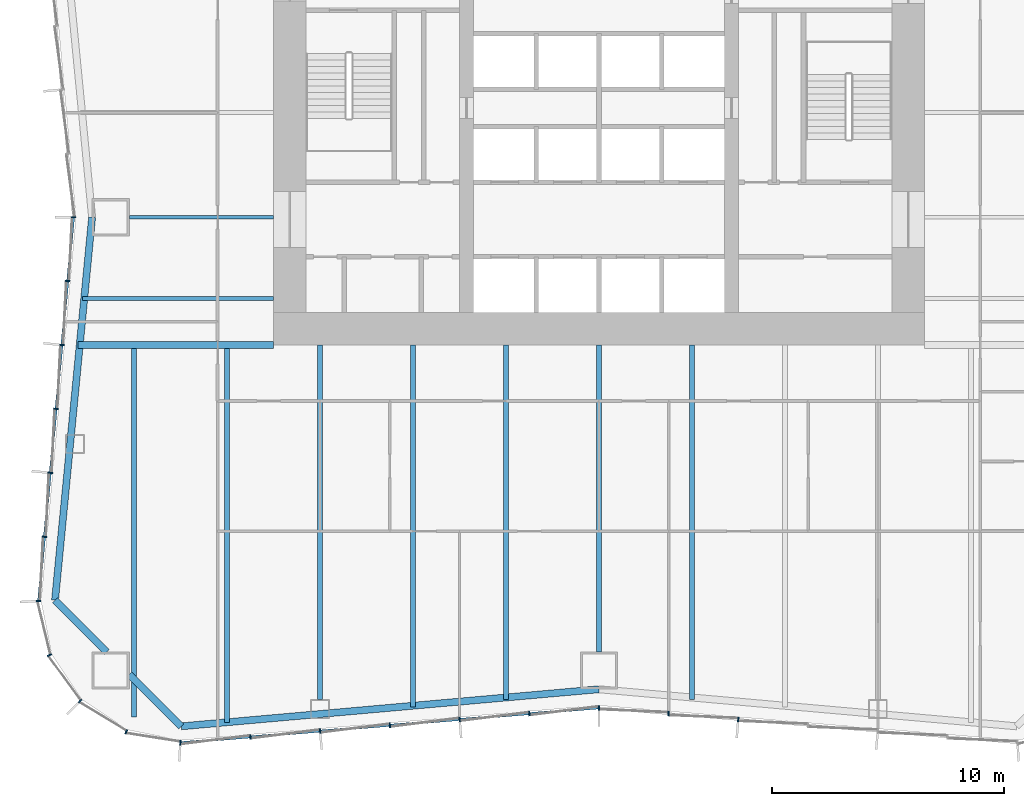
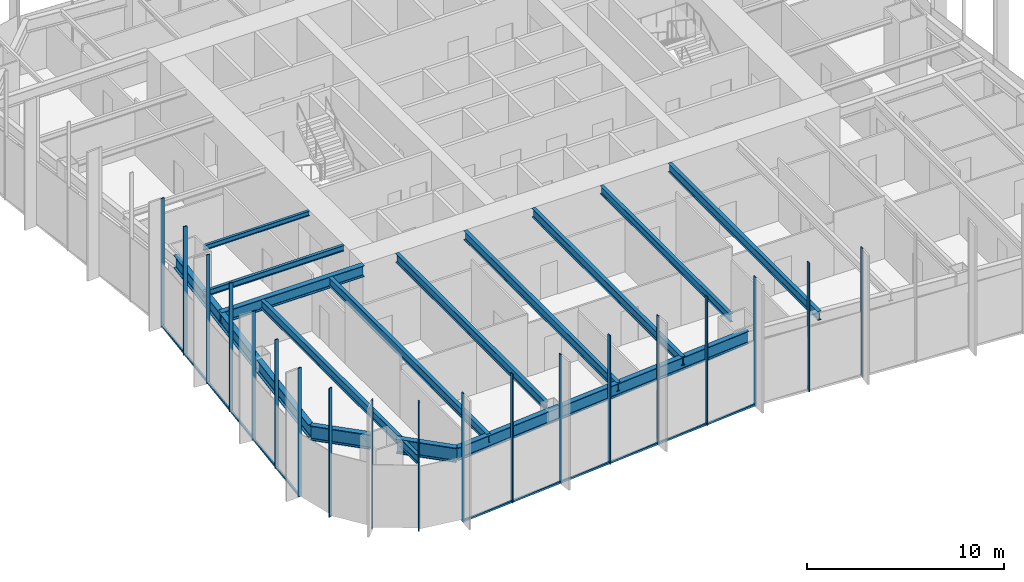
# One storey, part 2 of 13: 21 members, 14 beams, 3 elements without a shape of their own.
"""IFC4 building model written with IfcOpenShell, lengths in metres."""

from ifc_helpers import new_model, si_unit, direction, frame, origin, origin_2d, place, context, subcontext, project, spatial, rectangle, i_section, extrude, material, material_profile, profile_set, type_object, element, aggregate, save


model = new_model("IFC4")

# Units and contexts
model_context = context("Model", 3, precision=1e-05, world=origin(), true_north=direction((0.0, 1.0)))
body_context = subcontext(model_context, "Body", "Model", "MODEL_VIEW")
ifc_project = project(units=[si_unit("LENGTHUNIT", "METRE"), si_unit("AREAUNIT", "SQUARE_METRE"), si_unit("VOLUMEUNIT", "CUBIC_METRE"), si_unit("PLANEANGLEUNIT", "RADIAN"), si_unit("MASSUNIT", "GRAM", prefix="KILO")], contexts=[model_context])

# Site, building, storey
site_placement = place(None, origin())
site = spatial("IfcSite", under=ifc_project, at=site_placement, CompositionType="ELEMENT")
building_placement = place(site_placement, origin())
building = spatial("IfcBuilding", under=site, at=building_placement, Name="Verdant Reach Tower", CompositionType="ELEMENT")
storey_placement = place(building_placement, frame((0.0, 0.0, 50.0)))
storey = spatial("IfcBuildingStorey", under=building, at=storey_placement, Name="L11", CompositionType="ELEMENT", Elevation=50.0)

# Curtain wall, members
ifc_material_1 = material(Name="Anodised aluminium", Category="aluminium")
curtain_wall_type = type_object("IfcCurtainWallType", Name="EN-CW SYSTEM Z0", PredefinedType="NOTDEFINED", material=ifc_material_1)
curtain_wall_1_placement = place(storey_placement, origin())
curtain_wall_1 = element("IfcCurtainWall", 1, at=curtain_wall_1_placement, inside=storey, type_object=curtain_wall_type, Name="Curtain wall west, L11", PredefinedType="NOTDEFINED")
ifc_material_profile_1 = material_profile(ifc_material_1, rectangle(XDim=0.199951171875, YDim=0.06005859375, at=origin_2d()), Name="Mullion 60x200")
ifc_profile_set_1 = profile_set([ifc_material_profile_1], Name="Anodised aluminium")
member_type_1 = type_object("IfcMemberType", Name="EN-MULLION Z0", PredefinedType="MULLION", material=ifc_profile_set_1)
member_1_placement = place(storey_placement, frame((-22.60009765625, 22.5, -0.35009765625), z_axis=(0.0, 0.0, 1.0), x_axis=(-1.0, 0.0, 0.0)))
member_1 = element("IfcMember", 2, at=member_1_placement, type_object=member_type_1, Name="Mullion west face part 2 1, L11", PredefinedType="MULLION", context=body_context, shape_type="SweptSolid", body=[
    extrude(rectangle(XDim=0.199951171875, YDim=0.06005859375, at=origin_2d()), origin(), (0.0, 0.0, 1.0), 8.0),
])
member_2_placement = place(storey_placement, frame((-22.849609375, 19.759033203125, -0.35009765625), z_axis=(0.0, 0.0, 1.0), x_axis=(-0.995893206467, 0.090535746047, 0.0)))
member_2 = element("IfcMember", 3, at=member_2_placement, type_object=member_type_1, Name="Mullion west face part 2 2, L11", PredefinedType="MULLION", context=body_context, shape_type="SweptSolid", body=[
    extrude(rectangle(XDim=0.199951171875, YDim=0.06005859375, at=origin_2d()), origin(), (0.0, 0.0, 1.0), 8.0),
])
member_3_placement = place(storey_placement, frame((-23.099609375, 17.009033203125, -0.35009765625), z_axis=(0.0, 0.0, 1.0), x_axis=(-0.995893206467, 0.090535746047, 0.0)))
member_3 = element("IfcMember", 4, at=member_3_placement, type_object=member_type_1, Name="Mullion west face part 2 3, L11", PredefinedType="MULLION", context=body_context, shape_type="SweptSolid", body=[
    extrude(rectangle(XDim=0.199951171875, YDim=0.06005859375, at=origin_2d()), origin(), (0.0, 0.0, 1.0), 8.0),
])
member_4_placement = place(storey_placement, frame((-23.349609375, 14.259033203125, -0.35009765625), z_axis=(0.0, 0.0, 1.0), x_axis=(-0.995893206467, 0.090535746047, 0.0)))
member_4 = element("IfcMember", 5, at=member_4_placement, type_object=member_type_1, Name="Mullion west face part 2 4, L11", PredefinedType="MULLION", context=body_context, shape_type="SweptSolid", body=[
    extrude(rectangle(XDim=0.199951171875, YDim=0.06005859375, at=origin_2d()), origin(), (0.0, 0.0, 1.0), 8.0),
])
member_5_placement = place(storey_placement, frame((-23.599609375, 11.509033203125, -0.35009765625), z_axis=(0.0, 0.0, 1.0), x_axis=(-0.995893206467, 0.090535746047, 0.0)))
member_5 = element("IfcMember", 6, at=member_5_placement, type_object=member_type_1, Name="Mullion west face part 2 5, L11", PredefinedType="MULLION", context=body_context, shape_type="SweptSolid", body=[
    extrude(rectangle(XDim=0.199951171875, YDim=0.06005859375, at=origin_2d()), origin(), (0.0, 0.0, 1.0), 8.0),
])
member_6_placement = place(storey_placement, frame((-23.849609375, 8.759033203125, -0.35009765625), z_axis=(0.0, 0.0, 1.0), x_axis=(-0.995893206467, 0.090535746047, 0.0)))
member_6 = element("IfcMember", 7, at=member_6_placement, type_object=member_type_1, Name="Mullion west face part 2 6, L11", PredefinedType="MULLION", context=body_context, shape_type="SweptSolid", body=[
    extrude(rectangle(XDim=0.199951171875, YDim=0.06005859375, at=origin_2d()), origin(), (0.0, 0.0, 1.0), 8.0),
])

curtain_wall_2_placement = place(storey_placement, origin())
curtain_wall_2 = element("IfcCurtainWall", 8, at=curtain_wall_2_placement, inside=storey, type_object=curtain_wall_type, Name="Curtain wall south-west corner, L11", PredefinedType="NOTDEFINED")
member_7_placement = place(storey_placement, frame((-24.099853515625, 5.99462890625, -0.35009765625), z_axis=(0.0, 0.0, 1.0), x_axis=(-0.998604288049, -0.052815489107, 0.0)))
member_7 = element("IfcMember", 9, at=member_7_placement, type_object=member_type_1, Name="Mullion south-west corner 1, L11", PredefinedType="MULLION", context=body_context, shape_type="SweptSolid", body=[
    extrude(rectangle(XDim=0.199951171875, YDim=0.06005859375, at=origin_2d()), origin(), (0.0, 0.0, 1.0), 8.0),
])
member_8_placement = place(storey_placement, frame((-23.6357421875, 3.66552734375, -0.35009765625), z_axis=(0.0, 0.0, 1.0), x_axis=(-0.923875215753, -0.382693853776, 0.0)))
member_8 = element("IfcMember", 10, at=member_8_placement, type_object=member_type_1, Name="Mullion south-west corner 2, L11", PredefinedType="MULLION", context=body_context, shape_type="SweptSolid", body=[
    extrude(rectangle(XDim=0.199951171875, YDim=0.06005859375, at=origin_2d()), origin(), (0.0, 0.0, 1.0), 8.0),
])
member_9_placement = place(storey_placement, frame((-22.313232421875, 1.686767578125, -0.35009765625), z_axis=(0.0, 0.0, 1.0), x_axis=(-0.707106781187, -0.707106781187, 0.0)))
member_9 = element("IfcMember", 11, at=member_9_placement, type_object=member_type_1, Name="Mullion south-west corner 3, L11", PredefinedType="MULLION", context=body_context, shape_type="SweptSolid", body=[
    extrude(rectangle(XDim=0.199951171875, YDim=0.06005859375, at=origin_2d()), origin(), (0.0, 0.0, 1.0), 8.0),
])
member_10_placement = place(storey_placement, frame((-20.33447265625, 0.3642578125, -0.35009765625), z_axis=(0.0, 0.0, 1.0), x_axis=(-0.382693853776, -0.923875215753, 0.0)))
member_10 = element("IfcMember", 12, at=member_10_placement, type_object=member_type_1, Name="Mullion south-west corner 4, L11", PredefinedType="MULLION", context=body_context, shape_type="SweptSolid", body=[
    extrude(rectangle(XDim=0.199951171875, YDim=0.06005859375, at=origin_2d()), origin(), (0.0, 0.0, 1.0), 8.0),
])
aggregate(curtain_wall_2, [member_7, member_8, member_9, member_10])

curtain_wall_3_placement = place(storey_placement, origin())
curtain_wall_3 = element("IfcCurtainWall", 13, at=curtain_wall_3_placement, inside=storey, type_object=curtain_wall_type, Name="Curtain wall south, L11", PredefinedType="NOTDEFINED")
member_11_placement = place(storey_placement, frame((-18.005615234375, -0.099853515625, -0.35009765625), z_axis=(0.0, 0.0, 1.0), x_axis=(-0.056569187765, -0.998398681387, 0.0)))
member_11 = element("IfcMember", 14, at=member_11_placement, type_object=member_type_1, Name="Mullion south face part 1 1, L11", PredefinedType="MULLION", context=body_context, shape_type="SweptSolid", body=[
    extrude(rectangle(XDim=0.199951171875, YDim=0.06005859375, at=origin_2d()), origin(), (0.0, 0.0, 1.0), 8.0),
])
member_12_placement = place(storey_placement, frame((-14.99169921875, 0.150390625, -0.35009765625), z_axis=(0.0, 0.0, 1.0), x_axis=(0.083045479859, -0.996545758244, 0.0)))
member_12 = element("IfcMember", 15, at=member_12_placement, type_object=member_type_1, Name="Mullion south face part 1 2, L11", PredefinedType="MULLION", context=body_context, shape_type="SweptSolid", body=[
    extrude(rectangle(XDim=0.199951171875, YDim=0.06005859375, at=origin_2d()), origin(), (0.0, 0.0, 1.0), 8.0),
])
member_13_placement = place(storey_placement, frame((-11.99169921875, 0.400390625, -0.35009765625), z_axis=(0.0, 0.0, 1.0), x_axis=(0.083045479859, -0.996545758244, 0.0)))
member_13 = element("IfcMember", 16, at=member_13_placement, type_object=member_type_1, Name="Mullion south face part 1 3, L11", PredefinedType="MULLION", context=body_context, shape_type="SweptSolid", body=[
    extrude(rectangle(XDim=0.199951171875, YDim=0.06005859375, at=origin_2d()), origin(), (0.0, 0.0, 1.0), 8.0),
])
member_14_placement = place(storey_placement, frame((-8.99169921875, 0.650390625, -0.35009765625), z_axis=(0.0, 0.0, 1.0), x_axis=(0.083045479859, -0.996545758244, 0.0)))
member_14 = element("IfcMember", 17, at=member_14_placement, type_object=member_type_1, Name="Mullion south face part 1 4, L11", PredefinedType="MULLION", context=body_context, shape_type="SweptSolid", body=[
    extrude(rectangle(XDim=0.199951171875, YDim=0.06005859375, at=origin_2d()), origin(), (0.0, 0.0, 1.0), 8.0),
])
member_15_placement = place(storey_placement, frame((-5.99169921875, 0.900390625, -0.35009765625), z_axis=(0.0, 0.0, 1.0), x_axis=(0.083045479859, -0.996545758244, 0.0)))
member_15 = element("IfcMember", 18, at=member_15_placement, type_object=member_type_1, Name="Mullion south face part 1 5, L11", PredefinedType="MULLION", context=body_context, shape_type="SweptSolid", body=[
    extrude(rectangle(XDim=0.199951171875, YDim=0.06005859375, at=origin_2d()), origin(), (0.0, 0.0, 1.0), 8.0),
])
member_16_placement = place(storey_placement, frame((-2.99169921875, 1.150390625, -0.35009765625), z_axis=(0.0, 0.0, 1.0), x_axis=(0.083045479859, -0.996545758244, 0.0)))
member_16 = element("IfcMember", 19, at=member_16_placement, type_object=member_type_1, Name="Mullion south face part 1 6, L11", PredefinedType="MULLION", context=body_context, shape_type="SweptSolid", body=[
    extrude(rectangle(XDim=0.199951171875, YDim=0.06005859375, at=origin_2d()), origin(), (0.0, 0.0, 1.0), 8.0),
])
member_17_placement = place(storey_placement, frame((0.0, 1.39990234375, -0.35009765625), z_axis=(0.0, 0.0, 1.0), x_axis=(0.0, -1.0, 0.0)))
member_17 = element("IfcMember", 20, at=member_17_placement, type_object=member_type_1, Name="Mullion south face part 2 1, L11", PredefinedType="MULLION", context=body_context, shape_type="SweptSolid", body=[
    extrude(rectangle(XDim=0.199951171875, YDim=0.06005859375, at=origin_2d()), origin(), (0.0, 0.0, 1.0), 8.0),
])
member_18_placement = place(storey_placement, frame((2.99169921875, 1.150390625, -0.35009765625), z_axis=(0.0, 0.0, 1.0), x_axis=(-0.083045479859, -0.996545758244, 0.0)))
member_18 = element("IfcMember", 21, at=member_18_placement, type_object=member_type_1, Name="Mullion south face part 2 2, L11", PredefinedType="MULLION", context=body_context, shape_type="SweptSolid", body=[
    extrude(rectangle(XDim=0.199951171875, YDim=0.06005859375, at=origin_2d()), origin(), (0.0, 0.0, 1.0), 8.0),
])
member_19_placement = place(storey_placement, frame((5.99169921875, 0.900390625, -0.35009765625), z_axis=(0.0, 0.0, 1.0), x_axis=(-0.083045479859, -0.996545758244, 0.0)))
member_19 = element("IfcMember", 22, at=member_19_placement, type_object=member_type_1, Name="Mullion south face part 2 3, L11", PredefinedType="MULLION", context=body_context, shape_type="SweptSolid", body=[
    extrude(rectangle(XDim=0.199951171875, YDim=0.06005859375, at=origin_2d()), origin(), (0.0, 0.0, 1.0), 8.0),
])

# Member
ifc_material_profile_2 = material_profile(ifc_material_1, rectangle(XDim=0.10009765625, YDim=0.1201171875, at=origin_2d()), Name="Transom 120x100")
ifc_profile_set_2 = profile_set([ifc_material_profile_2], Name="Anodised aluminium")
member_type_2 = type_object("IfcMemberType", Name="EN-TRANSOM Z0", PredefinedType="USERDEFINED", material=ifc_profile_set_2)
member_20_placement = place(storey_placement, frame((-22.602783203125, 22.47021484375, -0.2900390625), z_axis=(-0.090495755184, -0.995896841191, 0.0), x_axis=(0.995896841191, -0.090495755184, 0.0)))
member_20 = element("IfcMember", 23, at=member_20_placement, type_object=member_type_2, Name="Transom west face part 2 1.1, L11", ObjectType="TRANSOM", PredefinedType="USERDEFINED", context=body_context, shape_type="SweptSolid", body=[
    extrude(rectangle(XDim=0.10009765625, YDim=0.1201171875, at=origin_2d()), origin(), (0.0, 0.0, 1.0), 16.513427734375),
])

aggregate(curtain_wall_1, [member_1, member_2, member_3, member_4, member_5, member_6, member_20])

member_21_placement = place(storey_placement, frame((-17.975830078125, -0.097412109375, -0.2900390625), z_axis=(0.996548656072, 0.083010698588, 0.0), x_axis=(-0.083010698588, 0.996548656072, 0.0)))
member_21 = element("IfcMember", 24, at=member_21_placement, type_object=member_type_2, Name="Transom south face part 1 1.1, L11", ObjectType="TRANSOM", PredefinedType="USERDEFINED", context=body_context, shape_type="SweptSolid", body=[
    extrude(rectangle(XDim=0.10009765625, YDim=0.1201171875, at=origin_2d()), origin(), (0.0, 0.0, 1.0), 18.00830078125),
])

aggregate(curtain_wall_3, [member_11, member_12, member_13, member_14, member_15, member_16, member_21, member_17, member_18, member_19])

# Beams
ifc_material_2 = material(Name="Steel S355", Category="steel")
ifc_material_profile_3 = material_profile(ifc_material_2, i_section(OverallWidth=0.300048828125, OverallDepth=0.699951171875, WebThickness=0.01708984375, FlangeThickness=0.031982421875, FilletRadius=0.027099609375, at=origin_2d()), Name="HEB 700")
ifc_profile_set_3 = profile_set([ifc_material_profile_3], Name="Steel S355")
beam_type_1 = type_object("IfcBeamType", Name="ST-BEAM-HEB700", PredefinedType="BEAM", material=ifc_profile_set_3)
beam_1_placement = place(storey_placement, frame((-14.0, 17.0, 3.52001953125), z_axis=(-1.0, 0.0, 0.0), x_axis=(0.0, -1.0, 0.0)))
element("IfcBeam", 25, at=beam_1_placement, inside=storey, type_object=beam_type_1, Name="Trimmer beam, L11", PredefinedType="BEAM", context=body_context, shape_type="SweptSolid", body=[
    extrude(i_section(OverallWidth=0.300048828125, OverallDepth=0.699951171875, WebThickness=0.01708984375, FlangeThickness=0.031982421875, FilletRadius=0.027099609375, at=origin_2d()), origin(), (0.0, 0.0, 1.0), 8.3974609375),
])
ifc_material_profile_4 = material_profile(ifc_material_2, i_section(OverallWidth=0.14990234375, OverallDepth=0.300048828125, WebThickness=0.007080078125, FlangeThickness=0.0107421875, FilletRadius=0.014892578125, at=origin_2d()), Name="IPE 300")
ifc_profile_set_4 = profile_set([ifc_material_profile_4], Name="Steel S355")
beam_type_2 = type_object("IfcBeamType", Name="ST-JOIST-IPE300", PredefinedType="JOIST", material=ifc_profile_set_4)
beam_2_placement = place(storey_placement, frame((-14.0, 22.5, 3.719970703125), z_axis=(-1.0, 0.0, 0.0), x_axis=(0.0, -1.0, 0.0)))
element("IfcBeam", 26, at=beam_2_placement, inside=storey, type_object=beam_type_2, Name="Floor joist, L11", PredefinedType="JOIST", context=body_context, shape_type="SweptSolid", body=[
    extrude(i_section(OverallWidth=0.14990234375, OverallDepth=0.300048828125, WebThickness=0.007080078125, FlangeThickness=0.0107421875, FilletRadius=0.014892578125, at=origin_2d()), origin(), (0.0, 0.0, 1.0), 6.199951171875),
])
ifc_material_profile_5 = material_profile(ifc_material_2, i_section(OverallWidth=0.169921875, OverallDepth=0.360107421875, WebThickness=0.008056640625, FlangeThickness=0.0126953125, FilletRadius=0.01806640625, at=origin_2d()), Name="IPE 360")
ifc_profile_set_5 = profile_set([ifc_material_profile_5], Name="Steel S355")
beam_type_3 = type_object("IfcBeamType", Name="ST-JOIST-IPE360", PredefinedType="JOIST", material=ifc_profile_set_5)
beam_3_placement = place(storey_placement, frame((-14.0, 19.0, 3.68994140625), z_axis=(-1.0, 0.0, 0.0), x_axis=(0.0, -1.0, 0.0)))
element("IfcBeam", 27, at=beam_3_placement, inside=storey, type_object=beam_type_3, Name="Floor joist, L11", PredefinedType="JOIST", context=body_context, shape_type="SweptSolid", body=[
    extrude(i_section(OverallWidth=0.169921875, OverallDepth=0.360107421875, WebThickness=0.008056640625, FlangeThickness=0.0126953125, FilletRadius=0.01806640625, at=origin_2d()), origin(), (0.0, 0.0, 1.0), 8.2158203125),
])
ifc_material_profile_6 = material_profile(ifc_material_2, i_section(OverallWidth=0.199951171875, OverallDepth=0.5, WebThickness=0.01025390625, FlangeThickness=0.01611328125, FilletRadius=0.02099609375, at=origin_2d()), Name="IPE 500")
ifc_profile_set_6 = profile_set([ifc_material_profile_6], Name="Steel S355")
beam_type_4 = type_object("IfcBeamType", Name="ST-JOIST-IPE500", PredefinedType="JOIST", material=ifc_profile_set_6)
beam_4_placement = place(storey_placement, frame((0.0, 17.0, 3.6201171875), z_axis=(0.0, -1.0, 0.0), x_axis=(1.0, 0.0, 0.0)))
element("IfcBeam", 28, at=beam_4_placement, inside=storey, type_object=beam_type_4, Name="Floor joist, L11", PredefinedType="JOIST", context=body_context, shape_type="SweptSolid", body=[
    extrude(i_section(OverallWidth=0.199951171875, OverallDepth=0.5, WebThickness=0.01025390625, FlangeThickness=0.01611328125, FilletRadius=0.02099609375, at=origin_2d()), origin(), (0.0, 0.0, 1.0), 13.199951171875),
])
ifc_material_profile_7 = material_profile(ifc_material_2, i_section(OverallWidth=0.2099609375, OverallDepth=0.550048828125, WebThickness=0.010986328125, FlangeThickness=0.01708984375, FilletRadius=0.02392578125, at=origin_2d()), Name="IPE 550")
ifc_profile_set_7 = profile_set([ifc_material_profile_7], Name="Steel S355")
beam_type_5 = type_object("IfcBeamType", Name="ST-JOIST-IPE550", PredefinedType="JOIST", material=ifc_profile_set_7)
beam_5_placement = place(storey_placement, frame((-20.0, 16.89990234375, 3.594970703125), z_axis=(0.0, -1.0, 0.0), x_axis=(1.0, 0.0, 0.0)))
element("IfcBeam", 29, at=beam_5_placement, inside=storey, type_object=beam_type_5, Name="Floor joist, L11", PredefinedType="JOIST", context=body_context, shape_type="SweptSolid", body=[
    extrude(i_section(OverallWidth=0.2099609375, OverallDepth=0.550048828125, WebThickness=0.010986328125, FlangeThickness=0.01708984375, FilletRadius=0.02392578125, at=origin_2d()), origin(), (0.0, 0.0, 1.0), 15.890380859375),
])
beam_6_placement = place(storey_placement, frame((-16.0, 16.89990234375, 3.594970703125), z_axis=(0.0, -1.0, 0.0), x_axis=(1.0, 0.0, 0.0)))
element("IfcBeam", 30, at=beam_6_placement, inside=storey, type_object=beam_type_5, Name="Floor joist, L11", PredefinedType="JOIST", context=body_context, shape_type="SweptSolid", body=[
    extrude(i_section(OverallWidth=0.2099609375, OverallDepth=0.550048828125, WebThickness=0.010986328125, FlangeThickness=0.01708984375, FilletRadius=0.02392578125, at=origin_2d()), origin(), (0.0, 0.0, 1.0), 16.131103515625),
])
beam_7_placement = place(storey_placement, frame((-12.0, 17.0, 3.594970703125), z_axis=(0.0, -1.0, 0.0), x_axis=(1.0, 0.0, 0.0)))
element("IfcBeam", 31, at=beam_7_placement, inside=storey, type_object=beam_type_5, Name="Floor joist, L11", PredefinedType="JOIST", context=body_context, shape_type="SweptSolid", body=[
    extrude(i_section(OverallWidth=0.2099609375, OverallDepth=0.550048828125, WebThickness=0.010986328125, FlangeThickness=0.01708984375, FilletRadius=0.02392578125, at=origin_2d()), origin(), (0.0, 0.0, 1.0), 15.25),
])
beam_8_placement = place(storey_placement, frame((-8.0, 17.0, 3.594970703125), z_axis=(0.0, -1.0, 0.0), x_axis=(1.0, 0.0, 0.0)))
element("IfcBeam", 32, at=beam_8_placement, inside=storey, type_object=beam_type_5, Name="Floor joist, L11", PredefinedType="JOIST", context=body_context, shape_type="SweptSolid", body=[
    extrude(i_section(OverallWidth=0.2099609375, OverallDepth=0.550048828125, WebThickness=0.010986328125, FlangeThickness=0.01708984375, FilletRadius=0.02392578125, at=origin_2d()), origin(), (0.0, 0.0, 1.0), 15.564697265625),
])
for number, where, z_axis, x_axis, name in (
    (33, (-4.0, 17.0, 3.594970703125), (0.0, -1.0, 0.0), (1.0, 0.0, 0.0), "Floor joist, L11"),
    (34, (4.0, 17.0, 3.594970703125), (0.0, -1.0, 0.0), (1.0, 0.0, 0.0), "Floor joist, L11"),
):
    element("IfcBeam", number, at=place(storey_placement, frame(where, z_axis=z_axis, x_axis=x_axis)), inside=storey, type_object=beam_type_5, Name=name, PredefinedType="JOIST", context=body_context, shape_type="SweptSolid", body=[
        extrude(i_section(OverallWidth=0.2099609375, OverallDepth=0.550048828125, WebThickness=0.010986328125, FlangeThickness=0.01708984375, FilletRadius=0.02392578125, at=origin_2d()), origin(), (0.0, 0.0, 1.0), 15.231201171875),
    ])
ifc_material_profile_8 = material_profile(ifc_material_2, i_section(OverallWidth=0.300048828125, OverallDepth=0.800048828125, WebThickness=0.017578125, FlangeThickness=0.032958984375, FilletRadius=0.030029296875, at=origin_2d()), Name="HEB 800")
ifc_profile_set_8 = profile_set([ifc_material_profile_8], Name="Steel S355")
beam_type_6 = type_object("IfcBeamType", Name="ST-SPANDREL-HEB800", PredefinedType="SPANDREL", material=ifc_profile_set_8)
beam_9_placement = place(storey_placement, frame((0.0, 2.199951171875, 3.469970703125), z_axis=(-0.996082370463, -0.088430262084, 0.0), x_axis=(0.088430262084, -0.996082370463, 0.0)))
element("IfcBeam", 35, at=beam_9_placement, inside=storey, type_object=beam_type_6, Name="Edge beam, L11", PredefinedType="SPANDREL", context=body_context, shape_type="SweptSolid", body=[
    extrude(i_section(OverallWidth=0.300048828125, OverallDepth=0.800048828125, WebThickness=0.017578125, FlangeThickness=0.032958984375, FilletRadius=0.030029296875, at=origin_2d()), origin(), (0.0, 0.0, 1.0), 18.036376953125),
])
beam_10_placement = place(storey_placement, frame((-23.39453125, 6.031982421875, 3.469970703125), z_axis=(0.096372296695, 0.995345357366, 0.0), x_axis=(-0.995345357366, 0.096372296695, 0.0)))
element("IfcBeam", 36, at=beam_10_placement, inside=storey, type_object=beam_type_6, Name="Edge beam, L11", PredefinedType="SPANDREL", context=body_context, shape_type="SweptSolid", body=[
    extrude(i_section(OverallWidth=0.300048828125, OverallDepth=0.800048828125, WebThickness=0.017578125, FlangeThickness=0.032958984375, FilletRadius=0.030029296875, at=origin_2d()), origin(), (0.0, 0.0, 1.0), 16.544921875),
])
ifc_material_profile_9 = material_profile(ifc_material_2, i_section(OverallWidth=0.302001953125, OverallDepth=0.909912109375, WebThickness=0.02099609375, FlangeThickness=0.0400390625, FilletRadius=0.030029296875, at=origin_2d()), Name="HEM 900")
ifc_profile_set_9 = profile_set([ifc_material_profile_9], Name="Steel S355")
beam_type_7 = type_object("IfcBeamType", Name="ST-SPANDREL-HEM900", PredefinedType="SPANDREL", material=ifc_profile_set_9)
beam_11_placement = place(storey_placement, frame((-17.9658203125, 0.60498046875, 3.4150390625), z_axis=(-0.707222697162, 0.706990846206, 0.0), x_axis=(-0.706990846206, -0.707222697162, 0.0)))
element("IfcBeam", 37, at=beam_11_placement, inside=storey, type_object=beam_type_7, Name="Edge beam, L11", PredefinedType="SPANDREL", context=body_context, shape_type="SweptSolid", body=[
    extrude(i_section(OverallWidth=0.302001953125, OverallDepth=0.909912109375, WebThickness=0.02099609375, FlangeThickness=0.0400390625, FilletRadius=0.030029296875, at=origin_2d()), origin(), (0.0, 0.0, 1.0), 3.158935546875),
])
beam_12_placement = place(storey_placement, frame((-21.161865234375, 3.800048828125, 3.4150390625), z_axis=(-0.70722277322, 0.706990770123, 0.0), x_axis=(-0.706990770123, -0.70722277322, 0.0)))
element("IfcBeam", 38, at=beam_12_placement, inside=storey, type_object=beam_type_7, Name="Edge beam, L11", PredefinedType="SPANDREL", context=body_context, shape_type="SweptSolid", body=[
    extrude(i_section(OverallWidth=0.302001953125, OverallDepth=0.909912109375, WebThickness=0.02099609375, FlangeThickness=0.0400390625, FilletRadius=0.030029296875, at=origin_2d()), origin(), (0.0, 0.0, 1.0), 3.156982421875),
])

save(model, "model.ifc")
